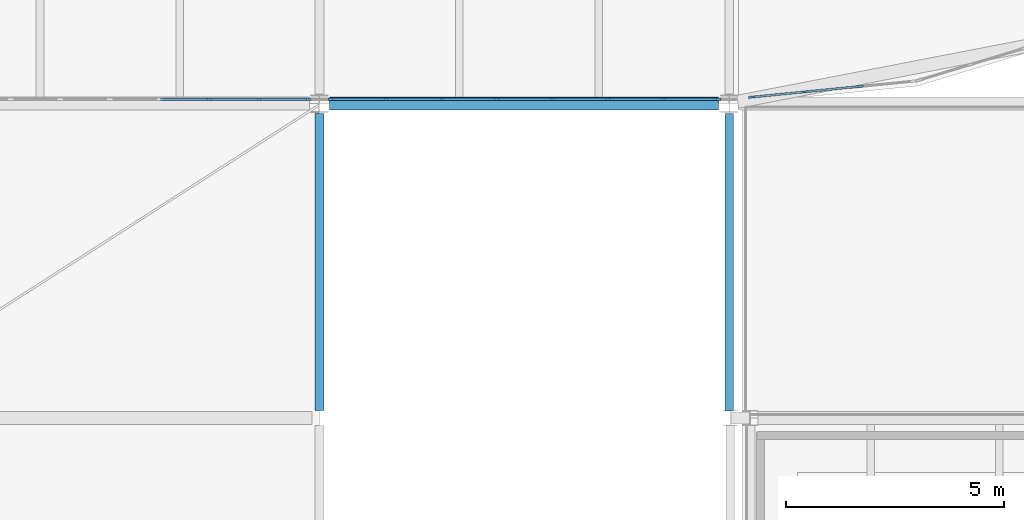
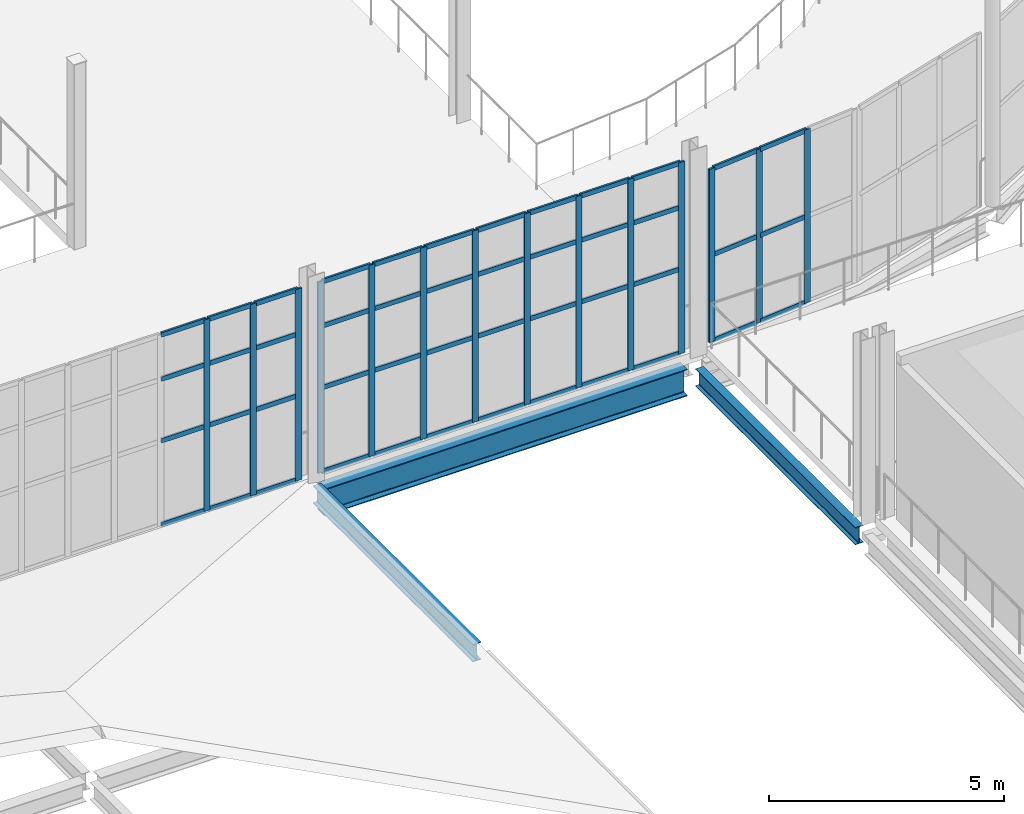
# One storey, part 60 of 112: 60 members, 3 beams, 3 elements without a shape of their own.
"""IFC4 building model written with IfcOpenShell, lengths in metres."""

from ifc_helpers import new_model, si_unit, direction, frame, origin, origin_2d, place, context, subcontext, project, spatial, rectangle, i_section, extrude, material, layer, layer_set, material_profile, profile_set, type_object, element, aggregate, save


model = new_model("IFC4")

# Units and contexts
model_context = context("Model", 3, precision=1e-05, world=origin(), true_north=direction((0.0, 1.0)))
body_context = subcontext(model_context, "Body", "Model", "MODEL_VIEW")
ifc_project = project(units=[si_unit("LENGTHUNIT", "METRE"), si_unit("AREAUNIT", "SQUARE_METRE"), si_unit("VOLUMEUNIT", "CUBIC_METRE"), si_unit("PLANEANGLEUNIT", "RADIAN"), si_unit("MASSUNIT", "GRAM", prefix="KILO")], contexts=[model_context])

# Site, building, storey
site_placement = place(None, origin())
site = spatial("IfcSite", under=ifc_project, at=site_placement, CompositionType="ELEMENT")
building_placement = place(site_placement, origin())
building = spatial("IfcBuilding", under=site, at=building_placement, Name="Yeouljin Market Hall", CompositionType="ELEMENT")
storey_placement = place(building_placement, frame((0.0, 0.0, 6.0)))
storey = spatial("IfcBuildingStorey", under=building, at=storey_placement, Name="L01", CompositionType="ELEMENT", Elevation=6.0)

# Beams
ifc_material_1 = material(Name="Steel SM355", Category="steel")
ifc_material_profile_1 = material_profile(ifc_material_1, i_section(OverallWidth=0.199951171875, OverallDepth=0.449951171875, WebThickness=0.009033203125, FlangeThickness=0.013916015625, FilletRadius=0.01806640625, at=origin_2d()), Name="H-450x200x9x14")
ifc_profile_set_1 = profile_set([ifc_material_profile_1], Name="Steel SM355")
beam_type_1 = type_object("IfcBeamType", Name="Beam_H-450x200x9x14", PredefinedType="BEAM", material=ifc_profile_set_1)
for number, where, z_axis, x_axis, name in (
    (1, (140.784912109375, 28.97509765625, -0.4951171875), (0.0, 1.0, 0.0), (-1.0, 0.0, 0.0), "Primary beam BM-L01-Y210"),
    (2, (131.39990234375, 28.97509765625, -0.2451171875), (0.0, 1.0, 0.0), (-1.0, 0.0, 0.0), "Boulevard forecourt canopy beam BM-V5FC-Y34"),
):
    element("IfcBeam", number, at=place(storey_placement, frame(where, z_axis=z_axis, x_axis=x_axis)), inside=storey, type_object=beam_type_1, Name=name, PredefinedType="BEAM", context=body_context, shape_type="SweptSolid", body=[
        extrude(i_section(OverallWidth=0.199951171875, OverallDepth=0.449951171875, WebThickness=0.009033203125, FlangeThickness=0.013916015625, FilletRadius=0.01806640625, at=origin_2d()), origin(), (0.0, 0.0, 1.0), 6.7998046875),
    ])

# Curtain wall, members
ifc_material_2 = material(Name="Thermally Broken Aluminium", Category="aluminium")
ifc_layer_1 = layer(ifc_material_2, 0.159912109375)
ifc_layer_set_1 = layer_set([ifc_layer_1], Name="Thermally Broken Aluminium")
curtain_wall_type_1 = type_object("IfcCurtainWallType", Name="CW_HallClerestory_System", PredefinedType="USERDEFINED", material=ifc_layer_set_1)
curtain_wall_1_placement = place(storey_placement, origin())
curtain_wall_1 = element("IfcCurtainWall", 3, at=curtain_wall_1_placement, inside=storey, type_object=curtain_wall_type_1, Name="Curtain wall CW-V1S-L01-10", ObjectType="CURTAIN WALL", PredefinedType="USERDEFINED")
ifc_material_3 = material(Name="Thermally Broken Aluminium", Category="aluminium")
ifc_material_profile_2 = material_profile(ifc_material_3, rectangle(XDim=0.048095703125, YDim=0.14990234375, at=origin_2d()), Name="CW-MULL-48x150")
ifc_profile_set_2 = profile_set([ifc_material_profile_2], Name="Thermally Broken Aluminium")
member_type_1 = type_object("IfcMemberType", Name="CWMullion_48x150", PredefinedType="MULLION", material=ifc_profile_set_2)
member_1_placement = place(storey_placement, frame((131.1259765625, 36.10009765625, 0.0), z_axis=(0.0, 0.0, 1.0), x_axis=(0.0, -1.0, 0.0)))
member_1 = element("IfcMember", 4, at=member_1_placement, type_object=member_type_1, Name="CW-02 mullion 1", PredefinedType="MULLION", context=body_context, shape_type="SweptSolid", body=[
    extrude(rectangle(XDim=0.048095703125, YDim=0.14990234375, at=origin_2d()), origin(), (0.0, 0.0, 1.0), 4.969970703125),
])
member_2_placement = place(storey_placement, frame((130.012451171875, 36.10009765625, 0.0), z_axis=(0.0, 0.0, 1.0), x_axis=(0.0, -1.0, 0.0)))
member_2 = element("IfcMember", 5, at=member_2_placement, type_object=member_type_1, Name="CW-02 mullion 2", PredefinedType="MULLION", context=body_context, shape_type="SweptSolid", body=[
    extrude(rectangle(XDim=0.048095703125, YDim=0.14990234375, at=origin_2d()), origin(), (0.0, 0.0, 1.0), 4.969970703125),
])
member_3_placement = place(storey_placement, frame((128.875, 36.10009765625, 0.0), z_axis=(0.0, 0.0, 1.0), x_axis=(0.0, -1.0, 0.0)))
member_3 = element("IfcMember", 6, at=member_3_placement, type_object=member_type_1, Name="CW-02 mullion 3", PredefinedType="MULLION", context=body_context, shape_type="SweptSolid", body=[
    extrude(rectangle(XDim=0.048095703125, YDim=0.14990234375, at=origin_2d()), origin(), (0.0, 0.0, 1.0), 4.969970703125),
])

curtain_wall_2_placement = place(storey_placement, origin())
curtain_wall_2 = element("IfcCurtainWall", 7, at=curtain_wall_2_placement, inside=storey, type_object=curtain_wall_type_1, Name="Curtain wall CW-V1S-L01-11", ObjectType="CURTAIN WALL", PredefinedType="USERDEFINED")
member_4_placement = place(storey_placement, frame((140.52587890625, 36.10009765625, 0.0), z_axis=(0.0, 0.0, 1.0), x_axis=(0.0, -1.0, 0.0)))
member_4 = element("IfcMember", 8, at=member_4_placement, type_object=member_type_1, Name="CW-02 mullion 1", PredefinedType="MULLION", context=body_context, shape_type="SweptSolid", body=[
    extrude(rectangle(XDim=0.048095703125, YDim=0.14990234375, at=origin_2d()), origin(), (0.0, 0.0, 1.0), 4.969970703125),
])
member_5_placement = place(storey_placement, frame((139.278564453125, 36.10009765625, 0.0), z_axis=(0.0, 0.0, 1.0), x_axis=(0.0, -1.0, 0.0)))
member_5 = element("IfcMember", 9, at=member_5_placement, type_object=member_type_1, Name="CW-02 mullion 2", PredefinedType="MULLION", context=body_context, shape_type="SweptSolid", body=[
    extrude(rectangle(XDim=0.048095703125, YDim=0.14990234375, at=origin_2d()), origin(), (0.0, 0.0, 1.0), 4.969970703125),
])
member_6_placement = place(storey_placement, frame((138.007080078125, 36.10009765625, 0.0), z_axis=(0.0, 0.0, 1.0), x_axis=(0.0, -1.0, 0.0)))
member_6 = element("IfcMember", 10, at=member_6_placement, type_object=member_type_1, Name="CW-02 mullion 3", PredefinedType="MULLION", context=body_context, shape_type="SweptSolid", body=[
    extrude(rectangle(XDim=0.048095703125, YDim=0.14990234375, at=origin_2d()), origin(), (0.0, 0.0, 1.0), 4.969970703125),
])
member_7_placement = place(storey_placement, frame((136.735595703125, 36.10009765625, 0.0), z_axis=(0.0, 0.0, 1.0), x_axis=(0.0, -1.0, 0.0)))
member_7 = element("IfcMember", 11, at=member_7_placement, type_object=member_type_1, Name="CW-02 mullion 4", PredefinedType="MULLION", context=body_context, shape_type="SweptSolid", body=[
    extrude(rectangle(XDim=0.048095703125, YDim=0.14990234375, at=origin_2d()), origin(), (0.0, 0.0, 1.0), 4.969970703125),
])
member_8_placement = place(storey_placement, frame((135.46435546875, 36.10009765625, 0.0), z_axis=(0.0, 0.0, 1.0), x_axis=(0.0, -1.0, 0.0)))
member_8 = element("IfcMember", 12, at=member_8_placement, type_object=member_type_1, Name="CW-02 mullion 5", PredefinedType="MULLION", context=body_context, shape_type="SweptSolid", body=[
    extrude(rectangle(XDim=0.048095703125, YDim=0.14990234375, at=origin_2d()), origin(), (0.0, 0.0, 1.0), 4.969970703125),
])
member_9_placement = place(storey_placement, frame((134.19287109375, 36.10009765625, 0.0), z_axis=(0.0, 0.0, 1.0), x_axis=(0.0, -1.0, 0.0)))
member_9 = element("IfcMember", 13, at=member_9_placement, type_object=member_type_1, Name="CW-02 mullion 6", PredefinedType="MULLION", context=body_context, shape_type="SweptSolid", body=[
    extrude(rectangle(XDim=0.048095703125, YDim=0.14990234375, at=origin_2d()), origin(), (0.0, 0.0, 1.0), 4.969970703125),
])
member_10_placement = place(storey_placement, frame((132.92138671875, 36.10009765625, 0.0), z_axis=(0.0, 0.0, 1.0), x_axis=(0.0, -1.0, 0.0)))
member_10 = element("IfcMember", 14, at=member_10_placement, type_object=member_type_1, Name="CW-02 mullion 7", PredefinedType="MULLION", context=body_context, shape_type="SweptSolid", body=[
    extrude(rectangle(XDim=0.048095703125, YDim=0.14990234375, at=origin_2d()), origin(), (0.0, 0.0, 1.0), 4.969970703125),
])
member_11_placement = place(storey_placement, frame((131.674072265625, 36.10009765625, 0.0), z_axis=(0.0, 0.0, 1.0), x_axis=(0.0, -1.0, 0.0)))
member_11 = element("IfcMember", 15, at=member_11_placement, type_object=member_type_1, Name="CW-02 mullion 8", PredefinedType="MULLION", context=body_context, shape_type="SweptSolid", body=[
    extrude(rectangle(XDim=0.048095703125, YDim=0.14990234375, at=origin_2d()), origin(), (0.0, 0.0, 1.0), 4.969970703125),
])

ifc_material_4 = material(Name="Thermally Broken Aluminium", Category="aluminium")
ifc_layer_2 = layer(ifc_material_4, 0.179931640625)
ifc_layer_set_2 = layer_set([ifc_layer_2], Name="Thermally Broken Aluminium")
curtain_wall_type_2 = type_object("IfcCurtainWallType", Name="CW_ApseCurved_System", PredefinedType="USERDEFINED", material=ifc_layer_set_2)
curtain_wall_3_placement = place(storey_placement, origin())
curtain_wall_3 = element("IfcCurtainWall", 16, at=curtain_wall_3_placement, inside=storey, type_object=curtain_wall_type_2, Name="Curtain wall CW-AP-EL01-01", ObjectType="CURTAIN WALL", PredefinedType="USERDEFINED")
member_12_placement = place(storey_placement, frame((143.781982421875, 36.39404296875, 0.0), z_axis=(0.0, 0.0, 1.0), x_axis=(0.09803414403, -0.995183051807, 0.0)))
member_12 = element("IfcMember", 17, at=member_12_placement, type_object=member_type_1, Name="CW-03 mullion 2", PredefinedType="MULLION", context=body_context, shape_type="SweptSolid", body=[
    extrude(rectangle(XDim=0.048095703125, YDim=0.14990234375, at=origin_2d()), origin(), (0.0, 0.0, 1.0), 4.5),
])
member_13_placement = place(storey_placement, frame((142.5302734375, 36.270751953125, 0.0), z_axis=(0.0, 0.0, 1.0), x_axis=(0.09803414403, -0.995183051807, 0.0)))
member_13 = element("IfcMember", 18, at=member_13_placement, type_object=member_type_1, Name="CW-03 mullion 3", PredefinedType="MULLION", context=body_context, shape_type="SweptSolid", body=[
    extrude(rectangle(XDim=0.048095703125, YDim=0.14990234375, at=origin_2d()), origin(), (0.0, 0.0, 1.0), 4.5),
])
member_14_placement = place(storey_placement, frame((141.302490234375, 36.149658203125, 0.0), z_axis=(0.0, 0.0, 1.0), x_axis=(0.09803414403, -0.995183051807, 0.0)))
member_14 = element("IfcMember", 19, at=member_14_placement, type_object=member_type_1, Name="CW-03 mullion 4", PredefinedType="MULLION", context=body_context, shape_type="SweptSolid", body=[
    extrude(rectangle(XDim=0.048095703125, YDim=0.14990234375, at=origin_2d()), origin(), (0.0, 0.0, 1.0), 4.5),
])

# Member
ifc_material_5 = material(Name="Thermally Broken Aluminium", Category="aluminium")
ifc_material_profile_3 = material_profile(ifc_material_5, rectangle(XDim=0.048095703125, YDim=0.1201171875, at=origin_2d()), Name="CW-TRAN-48x120")
ifc_profile_set_3 = profile_set([ifc_material_profile_3], Name="Thermally Broken Aluminium")
member_type_2 = type_object("IfcMemberType", Name="CWTransom_48x120", PredefinedType="USERDEFINED", material=ifc_profile_set_3)
member_15_placement = place(storey_placement, frame((131.10205078125, 36.10009765625, 0.02392578125), z_axis=(-1.0, 0.0, 0.0), x_axis=(0.0, -1.0, 0.0)))
member_15 = element("IfcMember", 20, at=member_15_placement, type_object=member_type_2, Name="CW-02 transom 1.1", ObjectType="TRANSOM", PredefinedType="USERDEFINED", context=body_context, shape_type="SweptSolid", body=[
    extrude(rectangle(XDim=0.048095703125, YDim=0.1201171875, at=origin_2d()), origin(), (0.0, 0.0, 1.0), 1.0654296875),
])

member_16_placement = place(storey_placement, frame((131.10205078125, 36.10009765625, 2.199951171875), z_axis=(-1.0, 0.0, 0.0), x_axis=(0.0, -1.0, 0.0)))
member_16 = element("IfcMember", 21, at=member_16_placement, type_object=member_type_2, Name="CW-02 transom 1.2", ObjectType="TRANSOM", PredefinedType="USERDEFINED", context=body_context, shape_type="SweptSolid", body=[
    extrude(rectangle(XDim=0.048095703125, YDim=0.1201171875, at=origin_2d()), origin(), (0.0, 0.0, 1.0), 1.0654296875),
])

member_17_placement = place(storey_placement, frame((131.10205078125, 36.10009765625, 3.800048828125), z_axis=(-1.0, 0.0, 0.0), x_axis=(0.0, -1.0, 0.0)))
member_17 = element("IfcMember", 22, at=member_17_placement, type_object=member_type_2, Name="CW-02 transom 1.3", ObjectType="TRANSOM", PredefinedType="USERDEFINED", context=body_context, shape_type="SweptSolid", body=[
    extrude(rectangle(XDim=0.048095703125, YDim=0.1201171875, at=origin_2d()), origin(), (0.0, 0.0, 1.0), 1.0654296875),
])

member_18_placement = place(storey_placement, frame((131.10205078125, 36.10009765625, 4.946044921875), z_axis=(-1.0, 0.0, 0.0), x_axis=(0.0, -1.0, 0.0)))
member_18 = element("IfcMember", 23, at=member_18_placement, type_object=member_type_2, Name="CW-02 transom 1.4", ObjectType="TRANSOM", PredefinedType="USERDEFINED", context=body_context, shape_type="SweptSolid", body=[
    extrude(rectangle(XDim=0.048095703125, YDim=0.1201171875, at=origin_2d()), origin(), (0.0, 0.0, 1.0), 1.0654296875),
])

member_19_placement = place(storey_placement, frame((129.988525390625, 36.10009765625, 0.02392578125), z_axis=(-1.0, 0.0, 0.0), x_axis=(0.0, -1.0, 0.0)))
member_19 = element("IfcMember", 24, at=member_19_placement, type_object=member_type_2, Name="CW-02 transom 2.1", ObjectType="TRANSOM", PredefinedType="USERDEFINED", context=body_context, shape_type="SweptSolid", body=[
    extrude(rectangle(XDim=0.048095703125, YDim=0.1201171875, at=origin_2d()), origin(), (0.0, 0.0, 1.0), 1.089599609375),
])

member_20_placement = place(storey_placement, frame((129.988525390625, 36.10009765625, 2.199951171875), z_axis=(-1.0, 0.0, 0.0), x_axis=(0.0, -1.0, 0.0)))
member_20 = element("IfcMember", 25, at=member_20_placement, type_object=member_type_2, Name="CW-02 transom 2.2", ObjectType="TRANSOM", PredefinedType="USERDEFINED", context=body_context, shape_type="SweptSolid", body=[
    extrude(rectangle(XDim=0.048095703125, YDim=0.1201171875, at=origin_2d()), origin(), (0.0, 0.0, 1.0), 1.089599609375),
])

member_21_placement = place(storey_placement, frame((129.988525390625, 36.10009765625, 3.800048828125), z_axis=(-1.0, 0.0, 0.0), x_axis=(0.0, -1.0, 0.0)))
member_21 = element("IfcMember", 26, at=member_21_placement, type_object=member_type_2, Name="CW-02 transom 2.3", ObjectType="TRANSOM", PredefinedType="USERDEFINED", context=body_context, shape_type="SweptSolid", body=[
    extrude(rectangle(XDim=0.048095703125, YDim=0.1201171875, at=origin_2d()), origin(), (0.0, 0.0, 1.0), 1.089599609375),
])

member_22_placement = place(storey_placement, frame((129.988525390625, 36.10009765625, 4.946044921875), z_axis=(-1.0, 0.0, 0.0), x_axis=(0.0, -1.0, 0.0)))
member_22 = element("IfcMember", 27, at=member_22_placement, type_object=member_type_2, Name="CW-02 transom 2.4", ObjectType="TRANSOM", PredefinedType="USERDEFINED", context=body_context, shape_type="SweptSolid", body=[
    extrude(rectangle(XDim=0.048095703125, YDim=0.1201171875, at=origin_2d()), origin(), (0.0, 0.0, 1.0), 1.089599609375),
])

member_23_placement = place(storey_placement, frame((128.85107421875, 36.10009765625, 0.02392578125), z_axis=(-1.0, 0.0, 0.0), x_axis=(0.0, -1.0, 0.0)))
member_23 = element("IfcMember", 28, at=member_23_placement, type_object=member_type_2, Name="CW-02 transom 3.1", ObjectType="TRANSOM", PredefinedType="USERDEFINED", context=body_context, shape_type="SweptSolid", body=[
    extrude(rectangle(XDim=0.048095703125, YDim=0.1201171875, at=origin_2d()), origin(), (0.0, 0.0, 1.0), 1.089599609375),
])

member_24_placement = place(storey_placement, frame((128.85107421875, 36.10009765625, 2.199951171875), z_axis=(-1.0, 0.0, 0.0), x_axis=(0.0, -1.0, 0.0)))
member_24 = element("IfcMember", 29, at=member_24_placement, type_object=member_type_2, Name="CW-02 transom 3.2", ObjectType="TRANSOM", PredefinedType="USERDEFINED", context=body_context, shape_type="SweptSolid", body=[
    extrude(rectangle(XDim=0.048095703125, YDim=0.1201171875, at=origin_2d()), origin(), (0.0, 0.0, 1.0), 1.089599609375),
])

member_25_placement = place(storey_placement, frame((128.85107421875, 36.10009765625, 3.800048828125), z_axis=(-1.0, 0.0, 0.0), x_axis=(0.0, -1.0, 0.0)))
member_25 = element("IfcMember", 30, at=member_25_placement, type_object=member_type_2, Name="CW-02 transom 3.3", ObjectType="TRANSOM", PredefinedType="USERDEFINED", context=body_context, shape_type="SweptSolid", body=[
    extrude(rectangle(XDim=0.048095703125, YDim=0.1201171875, at=origin_2d()), origin(), (0.0, 0.0, 1.0), 1.089599609375),
])

member_26_placement = place(storey_placement, frame((128.85107421875, 36.10009765625, 4.946044921875), z_axis=(-1.0, 0.0, 0.0), x_axis=(0.0, -1.0, 0.0)))
member_26 = element("IfcMember", 31, at=member_26_placement, type_object=member_type_2, Name="CW-02 transom 3.4", ObjectType="TRANSOM", PredefinedType="USERDEFINED", context=body_context, shape_type="SweptSolid", body=[
    extrude(rectangle(XDim=0.048095703125, YDim=0.1201171875, at=origin_2d()), origin(), (0.0, 0.0, 1.0), 1.089599609375),
])

aggregate(curtain_wall_1, [member_1, member_2, member_3, member_15, member_16, member_17, member_18, member_19, member_20, member_21, member_22, member_23, member_24, member_25, member_26])

member_27_placement = place(storey_placement, frame((140.501953125, 36.10009765625, 0.02392578125), z_axis=(-1.0, 0.0, 0.0), x_axis=(0.0, -1.0, 0.0)))
member_27 = element("IfcMember", 32, at=member_27_placement, type_object=member_type_2, Name="CW-02 transom 1.1", ObjectType="TRANSOM", PredefinedType="USERDEFINED", context=body_context, shape_type="SweptSolid", body=[
    extrude(rectangle(XDim=0.048095703125, YDim=0.1201171875, at=origin_2d()), origin(), (0.0, 0.0, 1.0), 1.199462890625),
])

member_28_placement = place(storey_placement, frame((140.501953125, 36.10009765625, 2.199951171875), z_axis=(-1.0, 0.0, 0.0), x_axis=(0.0, -1.0, 0.0)))
member_28 = element("IfcMember", 33, at=member_28_placement, type_object=member_type_2, Name="CW-02 transom 1.2", ObjectType="TRANSOM", PredefinedType="USERDEFINED", context=body_context, shape_type="SweptSolid", body=[
    extrude(rectangle(XDim=0.048095703125, YDim=0.1201171875, at=origin_2d()), origin(), (0.0, 0.0, 1.0), 1.199462890625),
])

member_29_placement = place(storey_placement, frame((140.501953125, 36.10009765625, 3.800048828125), z_axis=(-1.0, 0.0, 0.0), x_axis=(0.0, -1.0, 0.0)))
member_29 = element("IfcMember", 34, at=member_29_placement, type_object=member_type_2, Name="CW-02 transom 1.3", ObjectType="TRANSOM", PredefinedType="USERDEFINED", context=body_context, shape_type="SweptSolid", body=[
    extrude(rectangle(XDim=0.048095703125, YDim=0.1201171875, at=origin_2d()), origin(), (0.0, 0.0, 1.0), 1.199462890625),
])

member_30_placement = place(storey_placement, frame((140.501953125, 36.10009765625, 4.946044921875), z_axis=(-1.0, 0.0, 0.0), x_axis=(0.0, -1.0, 0.0)))
member_30 = element("IfcMember", 35, at=member_30_placement, type_object=member_type_2, Name="CW-02 transom 1.4", ObjectType="TRANSOM", PredefinedType="USERDEFINED", context=body_context, shape_type="SweptSolid", body=[
    extrude(rectangle(XDim=0.048095703125, YDim=0.1201171875, at=origin_2d()), origin(), (0.0, 0.0, 1.0), 1.199462890625),
])

member_31_placement = place(storey_placement, frame((139.254638671875, 36.10009765625, 0.02392578125), z_axis=(-1.0, 0.0, 0.0), x_axis=(0.0, -1.0, 0.0)))
member_31 = element("IfcMember", 36, at=member_31_placement, type_object=member_type_2, Name="CW-02 transom 2.1", ObjectType="TRANSOM", PredefinedType="USERDEFINED", context=body_context, shape_type="SweptSolid", body=[
    extrude(rectangle(XDim=0.048095703125, YDim=0.1201171875, at=origin_2d()), origin(), (0.0, 0.0, 1.0), 1.223388671875),
])

member_32_placement = place(storey_placement, frame((139.254638671875, 36.10009765625, 2.199951171875), z_axis=(-1.0, 0.0, 0.0), x_axis=(0.0, -1.0, 0.0)))
member_32 = element("IfcMember", 37, at=member_32_placement, type_object=member_type_2, Name="CW-02 transom 2.2", ObjectType="TRANSOM", PredefinedType="USERDEFINED", context=body_context, shape_type="SweptSolid", body=[
    extrude(rectangle(XDim=0.048095703125, YDim=0.1201171875, at=origin_2d()), origin(), (0.0, 0.0, 1.0), 1.223388671875),
])

member_33_placement = place(storey_placement, frame((139.254638671875, 36.10009765625, 3.800048828125), z_axis=(-1.0, 0.0, 0.0), x_axis=(0.0, -1.0, 0.0)))
member_33 = element("IfcMember", 38, at=member_33_placement, type_object=member_type_2, Name="CW-02 transom 2.3", ObjectType="TRANSOM", PredefinedType="USERDEFINED", context=body_context, shape_type="SweptSolid", body=[
    extrude(rectangle(XDim=0.048095703125, YDim=0.1201171875, at=origin_2d()), origin(), (0.0, 0.0, 1.0), 1.223388671875),
])

member_34_placement = place(storey_placement, frame((139.254638671875, 36.10009765625, 4.946044921875), z_axis=(-1.0, 0.0, 0.0), x_axis=(0.0, -1.0, 0.0)))
member_34 = element("IfcMember", 39, at=member_34_placement, type_object=member_type_2, Name="CW-02 transom 2.4", ObjectType="TRANSOM", PredefinedType="USERDEFINED", context=body_context, shape_type="SweptSolid", body=[
    extrude(rectangle(XDim=0.048095703125, YDim=0.1201171875, at=origin_2d()), origin(), (0.0, 0.0, 1.0), 1.223388671875),
])

member_35_placement = place(storey_placement, frame((137.983154296875, 36.10009765625, 0.02392578125), z_axis=(-1.0, 0.0, 0.0), x_axis=(0.0, -1.0, 0.0)))
member_35 = element("IfcMember", 40, at=member_35_placement, type_object=member_type_2, Name="CW-02 transom 3.1", ObjectType="TRANSOM", PredefinedType="USERDEFINED", context=body_context, shape_type="SweptSolid", body=[
    extrude(rectangle(XDim=0.048095703125, YDim=0.1201171875, at=origin_2d()), origin(), (0.0, 0.0, 1.0), 1.223388671875),
])

member_36_placement = place(storey_placement, frame((137.983154296875, 36.10009765625, 2.199951171875), z_axis=(-1.0, 0.0, 0.0), x_axis=(0.0, -1.0, 0.0)))
member_36 = element("IfcMember", 41, at=member_36_placement, type_object=member_type_2, Name="CW-02 transom 3.2", ObjectType="TRANSOM", PredefinedType="USERDEFINED", context=body_context, shape_type="SweptSolid", body=[
    extrude(rectangle(XDim=0.048095703125, YDim=0.1201171875, at=origin_2d()), origin(), (0.0, 0.0, 1.0), 1.223388671875),
])

member_37_placement = place(storey_placement, frame((137.983154296875, 36.10009765625, 3.800048828125), z_axis=(-1.0, 0.0, 0.0), x_axis=(0.0, -1.0, 0.0)))
member_37 = element("IfcMember", 42, at=member_37_placement, type_object=member_type_2, Name="CW-02 transom 3.3", ObjectType="TRANSOM", PredefinedType="USERDEFINED", context=body_context, shape_type="SweptSolid", body=[
    extrude(rectangle(XDim=0.048095703125, YDim=0.1201171875, at=origin_2d()), origin(), (0.0, 0.0, 1.0), 1.223388671875),
])

member_38_placement = place(storey_placement, frame((137.983154296875, 36.10009765625, 4.946044921875), z_axis=(-1.0, 0.0, 0.0), x_axis=(0.0, -1.0, 0.0)))
member_38 = element("IfcMember", 43, at=member_38_placement, type_object=member_type_2, Name="CW-02 transom 3.4", ObjectType="TRANSOM", PredefinedType="USERDEFINED", context=body_context, shape_type="SweptSolid", body=[
    extrude(rectangle(XDim=0.048095703125, YDim=0.1201171875, at=origin_2d()), origin(), (0.0, 0.0, 1.0), 1.223388671875),
])

member_39_placement = place(storey_placement, frame((136.711669921875, 36.10009765625, 0.02392578125), z_axis=(-1.0, 0.0, 0.0), x_axis=(0.0, -1.0, 0.0)))
member_39 = element("IfcMember", 44, at=member_39_placement, type_object=member_type_2, Name="CW-02 transom 4.1", ObjectType="TRANSOM", PredefinedType="USERDEFINED", context=body_context, shape_type="SweptSolid", body=[
    extrude(rectangle(XDim=0.048095703125, YDim=0.1201171875, at=origin_2d()), origin(), (0.0, 0.0, 1.0), 1.223388671875),
])

member_40_placement = place(storey_placement, frame((136.711669921875, 36.10009765625, 2.199951171875), z_axis=(-1.0, 0.0, 0.0), x_axis=(0.0, -1.0, 0.0)))
member_40 = element("IfcMember", 45, at=member_40_placement, type_object=member_type_2, Name="CW-02 transom 4.2", ObjectType="TRANSOM", PredefinedType="USERDEFINED", context=body_context, shape_type="SweptSolid", body=[
    extrude(rectangle(XDim=0.048095703125, YDim=0.1201171875, at=origin_2d()), origin(), (0.0, 0.0, 1.0), 1.223388671875),
])

member_41_placement = place(storey_placement, frame((136.711669921875, 36.10009765625, 3.800048828125), z_axis=(-1.0, 0.0, 0.0), x_axis=(0.0, -1.0, 0.0)))
member_41 = element("IfcMember", 46, at=member_41_placement, type_object=member_type_2, Name="CW-02 transom 4.3", ObjectType="TRANSOM", PredefinedType="USERDEFINED", context=body_context, shape_type="SweptSolid", body=[
    extrude(rectangle(XDim=0.048095703125, YDim=0.1201171875, at=origin_2d()), origin(), (0.0, 0.0, 1.0), 1.223388671875),
])

member_42_placement = place(storey_placement, frame((136.711669921875, 36.10009765625, 4.946044921875), z_axis=(-1.0, 0.0, 0.0), x_axis=(0.0, -1.0, 0.0)))
member_42 = element("IfcMember", 47, at=member_42_placement, type_object=member_type_2, Name="CW-02 transom 4.4", ObjectType="TRANSOM", PredefinedType="USERDEFINED", context=body_context, shape_type="SweptSolid", body=[
    extrude(rectangle(XDim=0.048095703125, YDim=0.1201171875, at=origin_2d()), origin(), (0.0, 0.0, 1.0), 1.223388671875),
])

member_43_placement = place(storey_placement, frame((135.440185546875, 36.10009765625, 0.02392578125), z_axis=(-1.0, 0.0, 0.0), x_axis=(0.0, -1.0, 0.0)))
member_43 = element("IfcMember", 48, at=member_43_placement, type_object=member_type_2, Name="CW-02 transom 5.1", ObjectType="TRANSOM", PredefinedType="USERDEFINED", context=body_context, shape_type="SweptSolid", body=[
    extrude(rectangle(XDim=0.048095703125, YDim=0.1201171875, at=origin_2d()), origin(), (0.0, 0.0, 1.0), 1.223388671875),
])

member_44_placement = place(storey_placement, frame((135.440185546875, 36.10009765625, 2.199951171875), z_axis=(-1.0, 0.0, 0.0), x_axis=(0.0, -1.0, 0.0)))
member_44 = element("IfcMember", 49, at=member_44_placement, type_object=member_type_2, Name="CW-02 transom 5.2", ObjectType="TRANSOM", PredefinedType="USERDEFINED", context=body_context, shape_type="SweptSolid", body=[
    extrude(rectangle(XDim=0.048095703125, YDim=0.1201171875, at=origin_2d()), origin(), (0.0, 0.0, 1.0), 1.223388671875),
])

member_45_placement = place(storey_placement, frame((135.440185546875, 36.10009765625, 3.800048828125), z_axis=(-1.0, 0.0, 0.0), x_axis=(0.0, -1.0, 0.0)))
member_45 = element("IfcMember", 50, at=member_45_placement, type_object=member_type_2, Name="CW-02 transom 5.3", ObjectType="TRANSOM", PredefinedType="USERDEFINED", context=body_context, shape_type="SweptSolid", body=[
    extrude(rectangle(XDim=0.048095703125, YDim=0.1201171875, at=origin_2d()), origin(), (0.0, 0.0, 1.0), 1.223388671875),
])

member_46_placement = place(storey_placement, frame((135.440185546875, 36.10009765625, 4.946044921875), z_axis=(-1.0, 0.0, 0.0), x_axis=(0.0, -1.0, 0.0)))
member_46 = element("IfcMember", 51, at=member_46_placement, type_object=member_type_2, Name="CW-02 transom 5.4", ObjectType="TRANSOM", PredefinedType="USERDEFINED", context=body_context, shape_type="SweptSolid", body=[
    extrude(rectangle(XDim=0.048095703125, YDim=0.1201171875, at=origin_2d()), origin(), (0.0, 0.0, 1.0), 1.223388671875),
])

member_47_placement = place(storey_placement, frame((134.1689453125, 36.10009765625, 0.02392578125), z_axis=(-1.0, 0.0, 0.0), x_axis=(0.0, -1.0, 0.0)))
member_47 = element("IfcMember", 52, at=member_47_placement, type_object=member_type_2, Name="CW-02 transom 6.1", ObjectType="TRANSOM", PredefinedType="USERDEFINED", context=body_context, shape_type="SweptSolid", body=[
    extrude(rectangle(XDim=0.048095703125, YDim=0.1201171875, at=origin_2d()), origin(), (0.0, 0.0, 1.0), 1.2236328125),
])

member_48_placement = place(storey_placement, frame((134.1689453125, 36.10009765625, 2.199951171875), z_axis=(-1.0, 0.0, 0.0), x_axis=(0.0, -1.0, 0.0)))
member_48 = element("IfcMember", 53, at=member_48_placement, type_object=member_type_2, Name="CW-02 transom 6.2", ObjectType="TRANSOM", PredefinedType="USERDEFINED", context=body_context, shape_type="SweptSolid", body=[
    extrude(rectangle(XDim=0.048095703125, YDim=0.1201171875, at=origin_2d()), origin(), (0.0, 0.0, 1.0), 1.2236328125),
])

member_49_placement = place(storey_placement, frame((134.1689453125, 36.10009765625, 3.800048828125), z_axis=(-1.0, 0.0, 0.0), x_axis=(0.0, -1.0, 0.0)))
member_49 = element("IfcMember", 54, at=member_49_placement, type_object=member_type_2, Name="CW-02 transom 6.3", ObjectType="TRANSOM", PredefinedType="USERDEFINED", context=body_context, shape_type="SweptSolid", body=[
    extrude(rectangle(XDim=0.048095703125, YDim=0.1201171875, at=origin_2d()), origin(), (0.0, 0.0, 1.0), 1.2236328125),
])

member_50_placement = place(storey_placement, frame((134.1689453125, 36.10009765625, 4.946044921875), z_axis=(-1.0, 0.0, 0.0), x_axis=(0.0, -1.0, 0.0)))
member_50 = element("IfcMember", 55, at=member_50_placement, type_object=member_type_2, Name="CW-02 transom 6.4", ObjectType="TRANSOM", PredefinedType="USERDEFINED", context=body_context, shape_type="SweptSolid", body=[
    extrude(rectangle(XDim=0.048095703125, YDim=0.1201171875, at=origin_2d()), origin(), (0.0, 0.0, 1.0), 1.2236328125),
])

member_51_placement = place(storey_placement, frame((132.8974609375, 36.10009765625, 0.02392578125), z_axis=(-1.0, 0.0, 0.0), x_axis=(0.0, -1.0, 0.0)))
member_51 = element("IfcMember", 56, at=member_51_placement, type_object=member_type_2, Name="CW-02 transom 7.1", ObjectType="TRANSOM", PredefinedType="USERDEFINED", context=body_context, shape_type="SweptSolid", body=[
    extrude(rectangle(XDim=0.048095703125, YDim=0.1201171875, at=origin_2d()), origin(), (0.0, 0.0, 1.0), 1.199462890625),
])

member_52_placement = place(storey_placement, frame((132.8974609375, 36.10009765625, 2.199951171875), z_axis=(-1.0, 0.0, 0.0), x_axis=(0.0, -1.0, 0.0)))
member_52 = element("IfcMember", 57, at=member_52_placement, type_object=member_type_2, Name="CW-02 transom 7.2", ObjectType="TRANSOM", PredefinedType="USERDEFINED", context=body_context, shape_type="SweptSolid", body=[
    extrude(rectangle(XDim=0.048095703125, YDim=0.1201171875, at=origin_2d()), origin(), (0.0, 0.0, 1.0), 1.199462890625),
])

member_53_placement = place(storey_placement, frame((132.8974609375, 36.10009765625, 3.800048828125), z_axis=(-1.0, 0.0, 0.0), x_axis=(0.0, -1.0, 0.0)))
member_53 = element("IfcMember", 58, at=member_53_placement, type_object=member_type_2, Name="CW-02 transom 7.3", ObjectType="TRANSOM", PredefinedType="USERDEFINED", context=body_context, shape_type="SweptSolid", body=[
    extrude(rectangle(XDim=0.048095703125, YDim=0.1201171875, at=origin_2d()), origin(), (0.0, 0.0, 1.0), 1.199462890625),
])

member_54_placement = place(storey_placement, frame((132.8974609375, 36.10009765625, 4.946044921875), z_axis=(-1.0, 0.0, 0.0), x_axis=(0.0, -1.0, 0.0)))
member_54 = element("IfcMember", 59, at=member_54_placement, type_object=member_type_2, Name="CW-02 transom 7.4", ObjectType="TRANSOM", PredefinedType="USERDEFINED", context=body_context, shape_type="SweptSolid", body=[
    extrude(rectangle(XDim=0.048095703125, YDim=0.1201171875, at=origin_2d()), origin(), (0.0, 0.0, 1.0), 1.199462890625),
])

aggregate(curtain_wall_2, [member_4, member_5, member_6, member_7, member_8, member_9, member_10, member_11, member_27, member_28, member_29, member_30, member_31, member_32, member_33, member_34, member_35, member_36, member_37, member_38, member_39, member_40, member_41, member_42, member_43, member_44, member_45, member_46, member_47, member_48, member_49, member_50, member_51, member_52, member_53, member_54])

member_55_placement = place(storey_placement, frame((143.758056640625, 36.3916015625, 0.02392578125), z_axis=(-0.995178052762, -0.098084878045, 0.0), x_axis=(0.098084878045, -0.995178052762, 0.0)))
member_55 = element("IfcMember", 60, at=member_55_placement, type_object=member_type_2, Name="CW-03 transom 2.1", ObjectType="TRANSOM", PredefinedType="USERDEFINED", context=body_context, shape_type="SweptSolid", body=[
    extrude(rectangle(XDim=0.048095703125, YDim=0.1201171875, at=origin_2d()), origin(), (0.0, 0.0, 1.0), 1.209716796875),
])

member_56_placement = place(storey_placement, frame((143.758056640625, 36.3916015625, 2.25), z_axis=(-0.995178052762, -0.098084878045, 0.0), x_axis=(0.098084878045, -0.995178052762, 0.0)))
member_56 = element("IfcMember", 61, at=member_56_placement, type_object=member_type_2, Name="CW-03 transom 2.2", ObjectType="TRANSOM", PredefinedType="USERDEFINED", context=body_context, shape_type="SweptSolid", body=[
    extrude(rectangle(XDim=0.048095703125, YDim=0.1201171875, at=origin_2d()), origin(), (0.0, 0.0, 1.0), 1.209716796875),
])

member_57_placement = place(storey_placement, frame((143.758056640625, 36.3916015625, 4.47607421875), z_axis=(-0.995178052762, -0.098084878045, 0.0), x_axis=(0.098084878045, -0.995178052762, 0.0)))
member_57 = element("IfcMember", 62, at=member_57_placement, type_object=member_type_2, Name="CW-03 transom 2.3", ObjectType="TRANSOM", PredefinedType="USERDEFINED", context=body_context, shape_type="SweptSolid", body=[
    extrude(rectangle(XDim=0.048095703125, YDim=0.1201171875, at=origin_2d()), origin(), (0.0, 0.0, 1.0), 1.209716796875),
])

member_58_placement = place(storey_placement, frame((142.506591796875, 36.268310546875, 0.02392578125), z_axis=(-0.995186884102, -0.097995233106, 0.0), x_axis=(0.097995233106, -0.995186884102, 0.0)))
member_58 = element("IfcMember", 63, at=member_58_placement, type_object=member_type_2, Name="CW-03 transom 3.1", ObjectType="TRANSOM", PredefinedType="USERDEFINED", context=body_context, shape_type="SweptSolid", body=[
    extrude(rectangle(XDim=0.048095703125, YDim=0.1201171875, at=origin_2d()), origin(), (0.0, 0.0, 1.0), 1.185791015625),
])

member_59_placement = place(storey_placement, frame((142.506591796875, 36.268310546875, 2.25), z_axis=(-0.995186884102, -0.097995233106, 0.0), x_axis=(0.097995233106, -0.995186884102, 0.0)))
member_59 = element("IfcMember", 64, at=member_59_placement, type_object=member_type_2, Name="CW-03 transom 3.2", ObjectType="TRANSOM", PredefinedType="USERDEFINED", context=body_context, shape_type="SweptSolid", body=[
    extrude(rectangle(XDim=0.048095703125, YDim=0.1201171875, at=origin_2d()), origin(), (0.0, 0.0, 1.0), 1.185791015625),
])

member_60_placement = place(storey_placement, frame((142.506591796875, 36.268310546875, 4.47607421875), z_axis=(-0.995186884102, -0.097995233106, 0.0), x_axis=(0.097995233106, -0.995186884102, 0.0)))
member_60 = element("IfcMember", 65, at=member_60_placement, type_object=member_type_2, Name="CW-03 transom 3.3", ObjectType="TRANSOM", PredefinedType="USERDEFINED", context=body_context, shape_type="SweptSolid", body=[
    extrude(rectangle(XDim=0.048095703125, YDim=0.1201171875, at=origin_2d()), origin(), (0.0, 0.0, 1.0), 1.185791015625),
])

aggregate(curtain_wall_3, [member_12, member_13, member_14, member_55, member_56, member_57, member_58, member_59, member_60])

# Beam
ifc_material_6 = material(Name="Steel SM355", Category="steel")
ifc_material_profile_4 = material_profile(ifc_material_6, i_section(OverallWidth=0.300048828125, OverallDepth=0.699951171875, WebThickness=0.012939453125, FlangeThickness=0.02392578125, FilletRadius=0.02587890625, at=origin_2d()), Name="H-700x300x13x24")
ifc_profile_set_4 = profile_set([ifc_material_profile_4], Name="Steel SM355")
beam_type_2 = type_object("IfcBeamType", Name="Girder_H-700x300x13x24", PredefinedType="USERDEFINED", material=ifc_profile_set_4)
beam_placement = place(storey_placement, frame((131.625, 36.0, -0.6201171875), z_axis=(1.0, 0.0, 0.0), x_axis=(0.0, 1.0, 0.0)))
element("IfcBeam", 66, at=beam_placement, inside=storey, type_object=beam_type_2, Name="Primary girder GRD-L01-X058", ObjectType="GIRDER", PredefinedType="USERDEFINED", context=body_context, shape_type="SweptSolid", body=[
    extrude(i_section(OverallWidth=0.300048828125, OverallDepth=0.699951171875, WebThickness=0.012939453125, FlangeThickness=0.02392578125, FilletRadius=0.02587890625, at=origin_2d()), origin(), (0.0, 0.0, 1.0), 8.909912109375),
])

save(model, "model.ifc")
